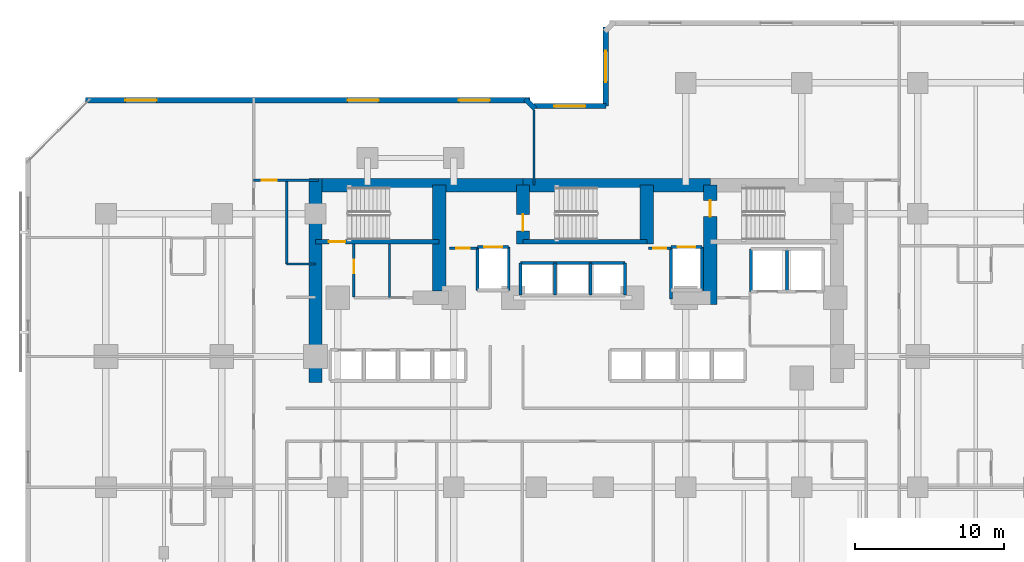
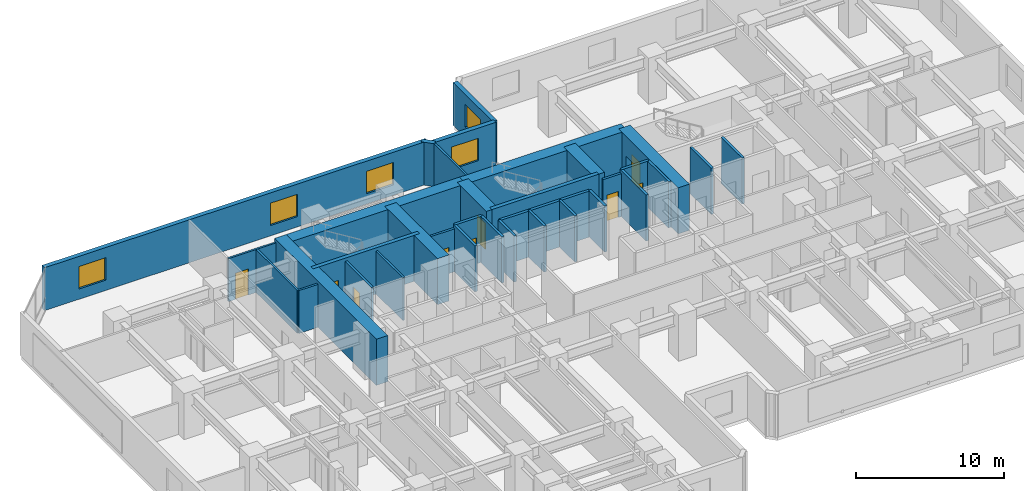
# One storey, part 8 of 12: 36 walls, 9 doors, 5 windows, 14 openings.
"""IFC4 building model written with IfcOpenShell, lengths in metres."""

import ifcopenshell
import ifcopenshell.guid

model = None  # the IFC model being written
_history = None  # IfcOwnerHistory: only IFC2X3 demands one
_inside = {}  # id of a spatial element -> (the spatial element, [elements in it])
_under = {}  # id of a project, library or spatial element -> (it, [spatial elements below it])
_declared = {}  # id of a project -> (the project, [libraries it declares])
_typed = {}  # id of a type object -> (the type object, [elements of that type])
_made_of = {}  # id of a material, layer set ... -> (it, [elements and type objects made of it])


def new_model(schema):
    """Start an empty IFC model of exactly this schema.

    Asked for "IFC4X3", IfcOpenShell would pick the latest addendum, in which some entities
    have other attributes; the version numbers below select the first issue.
    IFC2X3 requires an IfcOwnerHistory on every rooted entity: one is made here for all.
    """
    global model, _history
    if schema == "IFC4X3":
        model = ifcopenshell.file(schema_version=(4, 3, 0, 0))
    else:
        model = ifcopenshell.file(schema=schema)
    _inside.clear()
    _under.clear()
    _declared.clear()
    _typed.clear()
    _made_of.clear()
    _history = None
    if model.schema == "IFC2X3":
        org = make("IfcOrganization", Name="unknown")
        user = make(
            "IfcPersonAndOrganization",
            ThePerson=make("IfcPerson", FamilyName="unknown"),
            TheOrganization=org,
        )
        app = make(
            "IfcApplication",
            ApplicationDeveloper=org,
            Version="unknown",
            ApplicationFullName="unknown",
            ApplicationIdentifier="unknown",
        )
        _history = make(
            "IfcOwnerHistory",
            OwningUser=user,
            OwningApplication=app,
            ChangeAction="ADDED",
            CreationDate=0,
        )
    return model


def make(cls, **values):
    """One entity of the class cls with the attributes given. An attribute that is None is left unset."""
    return model.create_entity(
        cls, **{name: value for name, value in values.items() if value is not None}
    )


def rooted(cls, **values):
    """An entity with a GlobalId (a new one), such as an element, a storey or a relation."""
    return make(cls, GlobalId=ifcopenshell.guid.new(), OwnerHistory=_history, **values)


def si_unit(unit_type, name, prefix=None):
    """IfcSIUnit, for example si_unit("LENGTHUNIT", "METRE", prefix="MILLI")."""
    return make("IfcSIUnit", UnitType=unit_type, Prefix=prefix, Name=name)


def assignment(units):
    """IfcUnitAssignment: the units of a project."""
    return None if units is None else make("IfcUnitAssignment", Units=units)


def point(xyz):
    """IfcCartesianPoint."""
    return None if xyz is None else make("IfcCartesianPoint", Coordinates=xyz)


def direction(xyz):
    """IfcDirection."""
    return None if xyz is None else make("IfcDirection", DirectionRatios=xyz)


def frame(location, z_axis=None, x_axis=None):
    """IfcAxis2Placement3D, a coordinate frame: its origin and axes. An axis left out is left unset."""
    return make(
        "IfcAxis2Placement3D",
        Location=point(location),
        Axis=direction(z_axis),
        RefDirection=direction(x_axis),
    )


def frame_2d(location, x_axis=None):
    """IfcAxis2Placement2D, a coordinate frame in the plane: its origin and x axis."""
    return make(
        "IfcAxis2Placement2D", Location=point(location), RefDirection=direction(x_axis)
    )


def origin():
    """The frame at (0, 0, 0) with its axes left unset."""
    return frame((0.0, 0.0, 0.0))


def place(relative_to, where):
    """IfcLocalPlacement: puts the frame where relative to a parent placement (None: the world)."""
    return make(
        "IfcLocalPlacement", PlacementRelTo=relative_to, RelativePlacement=where
    )


def context(
    kind, dimensions, precision=None, world=None, true_north=None, identifier=None
):
    """IfcGeometricRepresentationContext, for example the 3D "Model" context."""
    return make(
        "IfcGeometricRepresentationContext",
        ContextIdentifier=identifier,
        ContextType=kind,
        CoordinateSpaceDimension=dimensions,
        Precision=precision,
        WorldCoordinateSystem=world,
        TrueNorth=true_north,
    )


def subcontext(parent, identifier, kind, view, scale=None):
    """IfcGeometricRepresentationSubContext, for example "Body" below "Model"."""
    return make(
        "IfcGeometricRepresentationSubContext",
        ContextIdentifier=identifier,
        ContextType=kind,
        ParentContext=parent,
        TargetScale=scale,
        TargetView=view,
    )


def project(units=None, contexts=None):
    """IfcProject with its units and contexts."""
    return rooted(
        "IfcProject",
        Name="project",
        RepresentationContexts=contexts,
        UnitsInContext=assignment(units),
    )


def spatial(cls, under=None, at=None, **own):
    """A site, building, storey or space (cls), placed at a placement, below another one or the project."""
    s = rooted(cls, ObjectPlacement=at, **own)
    if under is not None:
        _under.setdefault(under.id(), (under, []))[1].append(s)
    return s


def profile(cls, at=None, kind="AREA", **sizes):
    """A parametric profile (cls). Its sizes go by their IFC names, for example OverallWidth=200.0."""
    return make(cls, ProfileType=kind, Position=at, **sizes)


def rectangle(**sizes):
    """IfcRectangleProfileDef."""
    return profile("IfcRectangleProfileDef", **sizes)


def extrude(swept, where, along, depth):
    """IfcExtrudedAreaSolid: the profile swept, set in the frame where, extruded along a direction by depth."""
    return make(
        "IfcExtrudedAreaSolid",
        SweptArea=swept,
        Position=where,
        ExtrudedDirection=direction(along),
        Depth=depth,
    )


def shape(context_of_items, identifier, shape_type, items):
    """IfcShapeRepresentation: the items that make up one representation, for example the "Body"."""
    return make(
        "IfcShapeRepresentation",
        ContextOfItems=context_of_items,
        RepresentationIdentifier=identifier,
        RepresentationType=shape_type,
        Items=items,
    )


def material(Name=None, Category=None):
    """IfcMaterial."""
    return make("IfcMaterial", Name=Name, Category=Category)


def layer(
    of_material, thickness, ventilated=None, Name=None, Category=None, Priority=None
):
    """IfcMaterialLayer: one layer of a wall or slab, of a material (None: an air gap)."""
    return make(
        "IfcMaterialLayer",
        Material=of_material,
        LayerThickness=thickness,
        IsVentilated=ventilated,
        Name=Name,
        Category=Category,
        Priority=Priority,
    )


def layer_set(layers, Name=None):
    """IfcMaterialLayerSet."""
    return make("IfcMaterialLayerSet", MaterialLayers=layers, LayerSetName=Name)


def made_of(thing, what):
    """Note that an element or type object is made of a material, layer set ...; save() writes the relation."""
    if what is not None:
        _made_of.setdefault(what.id(), (what, []))[1].append(thing)
    return thing


def type_object(cls, material=None, **own):
    """A type object (cls), such as IfcWallType, which elements share."""
    return made_of(rooted(cls, **own), material)


def element(
    cls,
    number,
    at=None,
    inside=None,
    cuts=None,
    type_object=None,
    material=None,
    context=None,
    identifier="Body",
    shape_type=None,
    held_by="IfcProductDefinitionShape",
    body=None,
    shapes=None,
    **own,
):
    """One element of the class cls, such as IfcWall. Its Tag is "e" and its number.

    at: its placement. inside: the storey or other place that contains it. cuts: it is an
    opening in that element (IfcRelVoidsElement). A single representation is given by context,
    identifier, shape_type and body (its items); several are given by shapes. held_by: the class
    of the entity that holds the representations. save() writes the other relations.
    """
    e = rooted(cls, Tag="e%d" % number, ObjectPlacement=at, **own)
    if body is not None:
        shapes = [shape(context, identifier, shape_type, body)]
    if shapes is not None:
        e.Representation = make(held_by, Representations=shapes)
    if inside is not None:
        _inside.setdefault(inside.id(), (inside, []))[1].append(e)
    if cuts is not None:
        rooted(
            "IfcRelVoidsElement", RelatingBuildingElement=cuts, RelatedOpeningElement=e
        )
    if type_object is not None:
        _typed.setdefault(type_object.id(), (type_object, []))[1].append(e)
    return made_of(e, material)


def fill(opening, filler):
    """IfcRelFillsElement: the door or window that sits in an opening."""
    return rooted(
        "IfcRelFillsElement",
        RelatingOpeningElement=opening,
        RelatedBuildingElement=filler,
    )


def aggregate(whole, parts):
    """IfcRelAggregates: a whole, such as a stair, and the parts it consists of."""
    return rooted("IfcRelAggregates", RelatingObject=whole, RelatedObjects=parts)


def save(model, path):
    """Write the relations noted so far, then the file.

    IfcRelAggregates (storeys below a building ...), IfcRelContainedInSpatialStructure (elements
    in a storey), IfcRelDefinesByType, IfcRelAssociatesMaterial and IfcRelDeclares: one each for
    every whole, place, type object, material and project.
    """
    for whole, parts in _under.values():
        aggregate(whole, parts)
    for where, things in _inside.values():
        rooted(
            "IfcRelContainedInSpatialStructure",
            RelatedElements=things,
            RelatingStructure=where,
        )
    for kind, things in _typed.values():
        rooted("IfcRelDefinesByType", RelatedObjects=things, RelatingType=kind)
    for what, things in _made_of.values():
        rooted("IfcRelAssociatesMaterial", RelatedObjects=things, RelatingMaterial=what)
    for by, libraries in _declared.values():
        rooted("IfcRelDeclares", RelatingContext=by, RelatedDefinitions=libraries)
    model.write(path)


model = new_model("IFC4")

# Units and contexts
model_context = context("Model", 3, precision=1e-05, world=origin(), true_north=direction((0.0, 1.0)))
body_context = subcontext(model_context, "Body", "Model", "MODEL_VIEW")
ifc_project = project(units=[si_unit("LENGTHUNIT", "METRE"), si_unit("AREAUNIT", "SQUARE_METRE"), si_unit("VOLUMEUNIT", "CUBIC_METRE"), si_unit("PLANEANGLEUNIT", "RADIAN"), si_unit("MASSUNIT", "GRAM", prefix="KILO")], contexts=[model_context])

# Site, building, storey
site_placement = place(None, origin())
site = spatial("IfcSite", under=ifc_project, at=site_placement, CompositionType="ELEMENT")
building_placement = place(site_placement, origin())
building = spatial("IfcBuilding", under=site, at=building_placement, Name="Kestravale Grand Hotel", CompositionType="ELEMENT")
storey_placement = place(building_placement, frame((0.0, 0.0, 64.0)))
storey = spatial("IfcBuildingStorey", under=building, at=storey_placement, Name="L15", CompositionType="ELEMENT", Elevation=64.0)

# Walls
ifc_material_1 = material(Name="Concrete f'c 70 MPa", Category="concrete")
ifc_layer_1 = layer(ifc_material_1, 0.89990234375)
ifc_layer_set_1 = layer_set([ifc_layer_1], Name="EW-CORE-900")
wall_type_1 = type_object("IfcWallType", Name="EW-CORE-900", PredefinedType="SHEAR", material=ifc_layer_set_1)
wall_1_placement = place(storey_placement, frame((21.449951171875, 40.320068359375, 0.0), z_axis=(0.0, 0.0, 1.0), x_axis=(1.0, 0.0, 0.0)))
element("IfcWall", 1, at=wall_1_placement, inside=storey, type_object=wall_type_1, Name="L15 core shear wall N1", PredefinedType="SHEAR", context=body_context, shape_type="SweptSolid", body=[
    extrude(rectangle(XDim=14.400146484375, YDim=0.89990234375, at=frame_2d((7.2001953125, 0.0))), origin(), (0.0, 0.0, 1.0), 3.800048828125),
])
wall_2_placement = place(storey_placement, frame((35.85009765625, 40.320068359375, 0.0), z_axis=(0.0, 0.0, 1.0), x_axis=(1.0, 0.0, 0.0)))
element("IfcWall", 2, at=wall_2_placement, inside=storey, type_object=wall_type_1, Name="L15 core shear wall N2", PredefinedType="SHEAR", context=body_context, shape_type="SweptSolid", body=[
    extrude(rectangle(XDim=12.599853515625, YDim=0.89990234375, at=frame_2d((6.2998046875, 0.0))), origin(), (0.0, 0.0, 1.0), 3.800048828125),
])
wall_3_placement = place(storey_placement, frame((21.89990234375, 27.050048828125, 0.0), z_axis=(0.0, 0.0, 1.0), x_axis=(0.0, 1.0, 0.0)))
element("IfcWall", 3, at=wall_3_placement, inside=storey, type_object=wall_type_1, Name="L15 core shear wall W1", PredefinedType="SHEAR", context=body_context, shape_type="SweptSolid", body=[
    extrude(rectangle(XDim=13.719970703125, YDim=0.89990234375, at=frame_2d((6.85986328125, 0.0))), origin(), (0.0, 0.0, 1.0), 3.800048828125),
])
wall_4_placement = place(storey_placement, frame((30.219970703125, 33.199951171875, 0.0), z_axis=(0.0, 0.0, 1.0), x_axis=(0.0, 1.0, 0.0)))
element("IfcWall", 4, at=wall_4_placement, inside=storey, type_object=wall_type_1, Name="L15 core shear wall X1", PredefinedType="SHEAR", context=body_context, shape_type="SweptSolid", body=[
    extrude(rectangle(XDim=7.1201171875, YDim=0.89990234375, at=frame_2d((3.56005859375, 0.0))), origin(), (0.0, 0.0, 1.0), 3.800048828125),
])

# Wall, opening, door
wall_5_placement = place(storey_placement, frame((35.85009765625, 36.3701171875, 0.0), z_axis=(0.0, 0.0, 1.0), x_axis=(0.0, 1.0, 0.0)))
wall_5 = element("IfcWall", 5, at=wall_5_placement, inside=storey, type_object=wall_type_1, Name="L15 core shear wall X2", PredefinedType="SHEAR", context=body_context, shape_type="SweptSolid", body=[
    extrude(rectangle(XDim=3.949951171875, YDim=0.89990234375, at=frame_2d((1.97509765625, 0.0))), origin(), (0.0, 0.0, 1.0), 3.800048828125),
])
opening_1_placement = place(wall_5_placement, frame((0.8798828125, 0.0, 0.0)))
opening_1 = element("IfcOpeningElement", 6, at=opening_1_placement, cuts=wall_5, Name="Opening D-ST-1100", PredefinedType="OPENING", context=body_context, shape_type="SweptSolid", body=[
    extrude(rectangle(XDim=1.10009765625, YDim=2.14990234375, at=frame_2d((0.550048828125, 1.074951171875))), frame((0.0, 0.4599609375, 0.0), z_axis=(0.0, -1.0, 0.0), x_axis=(1.0, 0.0, 0.0)), (0.0, 0.0, 1.0), 0.919921875),
])
ifc_material_2 = material(Name="Galvanised 90-minute fire-rated steel stair door", Category="steel")
door_type_1 = type_object("IfcDoorType", Name="D-ST-1100", OperationType="NOTDEFINED", PredefinedType="DOOR", material=ifc_material_2)
door_1_placement = place(opening_1_placement, origin())
door_1 = element("IfcDoor", 7, at=door_1_placement, inside=storey, type_object=door_type_1, Name="L15 Stair ST-2 FSAE fire door", OperationType="SINGLE_SWING_RIGHT", OverallHeight=2.14990234375, OverallWidth=1.10009765625, PredefinedType="DOOR", context=body_context, shape_type="SweptSolid", body=[
    extrude(rectangle(XDim=1.10009765625, YDim=2.14990234375, at=frame_2d((0.550048828125, 1.074951171875))), frame((0.0, 0.02490234375, 0.0), z_axis=(0.0, -1.0, 0.0), x_axis=(1.0, 0.0, 0.0)), (0.0, 0.0, 1.0), 0.050048828125),
])
fill(opening_1, door_1)

# Wall
wall_6_placement = place(storey_placement, frame((44.179931640625, 36.3701171875, 0.0), z_axis=(0.0, 0.0, 1.0), x_axis=(0.0, 1.0, 0.0)))
element("IfcWall", 8, at=wall_6_placement, inside=storey, type_object=wall_type_1, Name="L15 core shear wall X3", PredefinedType="SHEAR", context=body_context, shape_type="SweptSolid", body=[
    extrude(rectangle(XDim=3.949951171875, YDim=0.89990234375, at=frame_2d((1.97509765625, 0.0))), origin(), (0.0, 0.0, 1.0), 3.800048828125),
])

# Wall, opening, door
wall_7_placement = place(storey_placement, frame((48.449951171875, 32.300048828125, 0.0), z_axis=(0.0, 0.0, 1.0), x_axis=(0.0, 1.0, 0.0)))
wall_7 = element("IfcWall", 9, at=wall_7_placement, inside=storey, type_object=wall_type_1, Name="L15 core shear wall X4", PredefinedType="SHEAR", context=body_context, shape_type="SweptSolid", body=[
    extrude(rectangle(XDim=8.02001953125, YDim=0.89990234375, at=frame_2d((4.010009765625, 0.0))), origin(), (0.0, 0.0, 1.0), 3.800048828125),
])
opening_2_placement = place(wall_7_placement, frame((5.89990234375, 0.0, 0.0)))
opening_2 = element("IfcOpeningElement", 10, at=opening_2_placement, cuts=wall_7, Name="Opening D-ST-1100", PredefinedType="OPENING", context=body_context, shape_type="SweptSolid", body=[
    extrude(rectangle(XDim=1.10009765625, YDim=2.14990234375, at=frame_2d((0.550048828125, 1.074951171875))), frame((0.0, 0.4599609375, 0.0), z_axis=(0.0, -1.0, 0.0), x_axis=(1.0, 0.0, 0.0)), (0.0, 0.0, 1.0), 0.919921875),
])
door_2_placement = place(opening_2_placement, origin())
door_2 = element("IfcDoor", 11, at=door_2_placement, inside=storey, type_object=door_type_1, Name="L15 Stair ST-3 FSAE fire door", OperationType="SINGLE_SWING_RIGHT", OverallHeight=2.14990234375, OverallWidth=1.10009765625, PredefinedType="DOOR", context=body_context, shape_type="SweptSolid", body=[
    extrude(rectangle(XDim=1.10009765625, YDim=2.14990234375, at=frame_2d((0.550048828125, 1.074951171875))), frame((0.0, 0.02490234375, 0.0), z_axis=(0.0, -1.0, 0.0), x_axis=(1.0, 0.0, 0.0)), (0.0, 0.0, 1.0), 0.050048828125),
])
fill(opening_2, door_2)

# Wall, opening, window
ifc_material_3 = material(Name="Precast concrete f'c 45 MPa", Category="concrete")
ifc_layer_2 = layer(ifc_material_3, 0.340087890625)
ifc_layer_set_2 = layer_set([ifc_layer_2], Name="EW-PREC-340")
wall_type_2 = type_object("IfcWallType", Name="EW-PREC-340", PredefinedType="SOLIDWALL", material=ifc_layer_set_2)
wall_8_placement = place(storey_placement, frame((41.419921875, 50.969970703125, 0.0), z_axis=(0.0, 0.0, 1.0), x_axis=(0.0, -1.0, 0.0)))
wall_8 = element("IfcWall", 12, at=wall_8_placement, inside=storey, type_object=wall_type_2, Name="L15 fluted precast facade wall 13", PredefinedType="SOLIDWALL", context=body_context, shape_type="SweptSolid", body=[
    extrude(rectangle(XDim=5.340087890625, YDim=0.340087890625, at=frame_2d((2.669921875, 0.0))), origin(), (0.0, 0.0, 1.0), 3.5400390625),
])
opening_3_placement = place(wall_8_placement, frame((1.6201171875, 0.0, 0.85009765625)))
opening_3 = element("IfcOpeningElement", 13, at=opening_3_placement, cuts=wall_8, Name="Opening W-GUEST-2100", PredefinedType="OPENING", context=body_context, shape_type="SweptSolid", body=[
    extrude(rectangle(XDim=2.10009765625, YDim=1.85009765625, at=frame_2d((1.050048828125, 0.925048828125))), frame((0.0, 0.179931640625, 0.0), z_axis=(0.0, -1.0, 0.0), x_axis=(1.0, 0.0, 0.0)), (0.0, 0.0, 1.0), 0.360107421875),
])
ifc_material_4 = material(Name="Insulated low-E double glazing in aluminium frame", Category="aluminium")
window_type = type_object("IfcWindowType", Name="W-GUEST-2100", PartitioningType="DOUBLE_PANEL_VERTICAL", PredefinedType="WINDOW", material=ifc_material_4)
window_1_placement = place(opening_3_placement, origin())
window_1 = element("IfcWindow", 14, at=window_1_placement, inside=storey, type_object=window_type, Name="L15 exterior window 13.1", OverallHeight=1.85009765625, OverallWidth=2.10009765625, PartitioningType="SINGLE_PANEL", PredefinedType="WINDOW", context=body_context, shape_type="SweptSolid", body=[
    extrude(rectangle(XDim=2.10009765625, YDim=1.85009765625, at=frame_2d((1.050048828125, 0.925048828125))), frame((0.0, 0.030029296875, 0.0), z_axis=(0.0, -1.0, 0.0), x_axis=(1.0, 0.0, 0.0)), (0.0, 0.0, 1.0), 0.06005859375),
])
fill(opening_3, window_1)

wall_9_placement = place(storey_placement, frame((41.419921875, 45.6298828125, 0.0), z_axis=(0.0, 0.0, 1.0), x_axis=(-1.0, 0.0, 0.0)))
wall_9 = element("IfcWall", 15, at=wall_9_placement, inside=storey, type_object=wall_type_2, Name="L15 fluted precast facade wall 14", PredefinedType="SOLIDWALL", context=body_context, shape_type="SweptSolid", body=[
    extrude(rectangle(XDim=4.83984375, YDim=0.340087890625, at=frame_2d((2.419921875, 0.0))), origin(), (0.0, 0.0, 1.0), 3.5400390625),
])
opening_4_placement = place(wall_9_placement, frame((1.3701171875, 0.0, 0.85009765625)))
opening_4 = element("IfcOpeningElement", 16, at=opening_4_placement, cuts=wall_9, Name="Opening W-GUEST-2100", PredefinedType="OPENING", context=body_context, shape_type="SweptSolid", body=[
    extrude(rectangle(XDim=2.10009765625, YDim=1.85009765625, at=frame_2d((1.050048828125, 0.925048828125))), frame((0.0, 0.179931640625, 0.0), z_axis=(0.0, -1.0, 0.0), x_axis=(1.0, 0.0, 0.0)), (0.0, 0.0, 1.0), 0.360107421875),
])
window_2_placement = place(opening_4_placement, origin())
window_2 = element("IfcWindow", 17, at=window_2_placement, inside=storey, type_object=window_type, Name="L15 exterior window 14.1", OverallHeight=1.85009765625, OverallWidth=2.10009765625, PartitioningType="SINGLE_PANEL", PredefinedType="WINDOW", context=body_context, shape_type="SweptSolid", body=[
    extrude(rectangle(XDim=2.10009765625, YDim=1.85009765625, at=frame_2d((1.050048828125, 0.925048828125))), frame((0.0, 0.030029296875, 0.0), z_axis=(0.0, -1.0, 0.0), x_axis=(1.0, 0.0, 0.0)), (0.0, 0.0, 1.0), 0.06005859375),
])
fill(opening_4, window_2)

# Wall
wall_10_placement = place(storey_placement, frame((36.658203125, 45.451416015625, 0.0), z_axis=(0.0, 0.0, 1.0), x_axis=(-0.707106781187, 0.707106781187, 0.0)))
element("IfcWall", 18, at=wall_10_placement, inside=storey, type_object=wall_type_2, Name="L15 fluted precast facade wall 16", PredefinedType="SOLIDWALL", context=body_context, shape_type="SweptSolid", body=[
    extrude(rectangle(XDim=0.9287109375, YDim=0.340087890625, at=frame_2d((0.46435546875, 0.0))), origin(), (0.0, 0.0, 1.0), 3.5400390625),
])

# Wall, openings, windows
wall_11_placement = place(storey_placement, frame((36.320068359375, 46.030029296875, 0.0), z_axis=(0.0, 0.0, 1.0), x_axis=(-1.0, 0.0, 0.0)))
wall_11 = element("IfcWall", 19, at=wall_11_placement, inside=storey, type_object=wall_type_2, Name="L15 fluted precast facade wall 17", PredefinedType="SOLIDWALL", context=body_context, shape_type="SweptSolid", body=[
    extrude(rectangle(XDim=29.89013671875, YDim=0.340087890625, at=frame_2d((14.945068359375, 0.0))), origin(), (0.0, 0.0, 1.0), 3.5400390625),
])
opening_5_placement = place(wall_11_placement, frame((2.686279296875, 0.0, 0.85009765625)))
opening_5 = element("IfcOpeningElement", 20, at=opening_5_placement, cuts=wall_11, Name="Opening W-GUEST-2100", PredefinedType="OPENING", context=body_context, shape_type="SweptSolid", body=[
    extrude(rectangle(XDim=2.10009765625, YDim=1.85009765625, at=frame_2d((1.050048828125, 0.925048828125))), frame((0.0, 0.179931640625, 0.0), z_axis=(0.0, -1.0, 0.0), x_axis=(1.0, 0.0, 0.0)), (0.0, 0.0, 1.0), 0.360107421875),
])
opening_6_placement = place(wall_11_placement, frame((10.15869140625, 0.0, 0.85009765625)))
opening_6 = element("IfcOpeningElement", 21, at=opening_6_placement, cuts=wall_11, Name="Opening W-GUEST-2100", PredefinedType="OPENING", context=body_context, shape_type="SweptSolid", body=[
    extrude(rectangle(XDim=2.10009765625, YDim=1.85009765625, at=frame_2d((1.050048828125, 0.925048828125))), frame((0.0, 0.179931640625, 0.0), z_axis=(0.0, -1.0, 0.0), x_axis=(1.0, 0.0, 0.0)), (0.0, 0.0, 1.0), 0.360107421875),
])
opening_7_placement = place(wall_11_placement, frame((25.103759765625, 0.0, 0.85009765625)))
opening_7 = element("IfcOpeningElement", 22, at=opening_7_placement, cuts=wall_11, Name="Opening W-GUEST-2100", PredefinedType="OPENING", context=body_context, shape_type="SweptSolid", body=[
    extrude(rectangle(XDim=2.10009765625, YDim=1.85009765625, at=frame_2d((1.050048828125, 0.925048828125))), frame((0.0, 0.179931640625, 0.0), z_axis=(0.0, -1.0, 0.0), x_axis=(1.0, 0.0, 0.0)), (0.0, 0.0, 1.0), 0.360107421875),
])
window_3_placement = place(opening_5_placement, origin())
window_3 = element("IfcWindow", 23, at=window_3_placement, inside=storey, type_object=window_type, Name="L15 exterior window 17.1", OverallHeight=1.85009765625, OverallWidth=2.10009765625, PartitioningType="SINGLE_PANEL", PredefinedType="WINDOW", context=body_context, shape_type="SweptSolid", body=[
    extrude(rectangle(XDim=2.10009765625, YDim=1.85009765625, at=frame_2d((1.050048828125, 0.925048828125))), frame((0.0, 0.030029296875, 0.0), z_axis=(0.0, -1.0, 0.0), x_axis=(1.0, 0.0, 0.0)), (0.0, 0.0, 1.0), 0.06005859375),
])
fill(opening_5, window_3)
window_4_placement = place(opening_6_placement, origin())
window_4 = element("IfcWindow", 24, at=window_4_placement, inside=storey, type_object=window_type, Name="L15 exterior window 17.2", OverallHeight=1.85009765625, OverallWidth=2.10009765625, PartitioningType="SINGLE_PANEL", PredefinedType="WINDOW", context=body_context, shape_type="SweptSolid", body=[
    extrude(rectangle(XDim=2.10009765625, YDim=1.85009765625, at=frame_2d((1.050048828125, 0.925048828125))), frame((0.0, 0.030029296875, 0.0), z_axis=(0.0, -1.0, 0.0), x_axis=(1.0, 0.0, 0.0)), (0.0, 0.0, 1.0), 0.06005859375),
])
fill(opening_6, window_4)
window_5_placement = place(opening_7_placement, origin())
window_5 = element("IfcWindow", 25, at=window_5_placement, inside=storey, type_object=window_type, Name="L15 exterior window 17.3", OverallHeight=1.85009765625, OverallWidth=2.10009765625, PartitioningType="SINGLE_PANEL", PredefinedType="WINDOW", context=body_context, shape_type="SweptSolid", body=[
    extrude(rectangle(XDim=2.10009765625, YDim=1.85009765625, at=frame_2d((1.050048828125, 0.925048828125))), frame((0.0, 0.030029296875, 0.0), z_axis=(0.0, -1.0, 0.0), x_axis=(1.0, 0.0, 0.0)), (0.0, 0.0, 1.0), 0.06005859375),
])
fill(opening_7, window_5)

# Wall, opening, door
ifc_material_5 = material(Name="Concrete f'c 45 MPa", Category="concrete")
ifc_layer_3 = layer(ifc_material_5, 0.300048828125)
ifc_layer_set_3 = layer_set([ifc_layer_3], Name="EW-STAIR-300")
wall_type_3 = type_object("IfcWallType", Name="EW-STAIR-300", PredefinedType="SHEAR", material=ifc_layer_set_3)
wall_12_placement = place(storey_placement, frame((21.89990234375, 36.52001953125, 0.0), z_axis=(0.0, 0.0, 1.0), x_axis=(1.0, 0.0, 0.0)))
wall_12 = element("IfcWall", 26, at=wall_12_placement, inside=storey, type_object=wall_type_3, Name="L15 stair enclosure shear wall SST1", PredefinedType="SHEAR", context=body_context, shape_type="SweptSolid", body=[
    extrude(rectangle(XDim=8.320068359375, YDim=0.300048828125, at=frame_2d((4.16015625, 0.0))), origin(), (0.0, 0.0, 1.0), 3.800048828125),
])
opening_8_placement = place(wall_12_placement, frame((0.89990234375, 0.0, 0.0)))
opening_8 = element("IfcOpeningElement", 27, at=opening_8_placement, cuts=wall_12, Name="Opening D-ST-1100", PredefinedType="OPENING", context=body_context, shape_type="SweptSolid", body=[
    extrude(rectangle(XDim=1.10009765625, YDim=2.14990234375, at=frame_2d((0.550048828125, 1.074951171875))), frame((0.0, 0.159912109375, 0.0), z_axis=(0.0, -1.0, 0.0), x_axis=(1.0, 0.0, 0.0)), (0.0, 0.0, 1.0), 0.320068359375),
])
door_3_placement = place(opening_8_placement, origin())
door_3 = element("IfcDoor", 28, at=door_3_placement, inside=storey, type_object=door_type_1, Name="L15 Stair ST-1 fire door", OperationType="SINGLE_SWING_RIGHT", OverallHeight=2.14990234375, OverallWidth=1.10009765625, PredefinedType="DOOR", context=body_context, shape_type="SweptSolid", body=[
    extrude(rectangle(XDim=1.10009765625, YDim=2.14990234375, at=frame_2d((0.550048828125, 1.074951171875))), frame((0.0, 0.02490234375, 0.0), z_axis=(0.0, -1.0, 0.0), x_axis=(1.0, 0.0, 0.0)), (0.0, 0.0, 1.0), 0.050048828125),
])
fill(opening_8, door_3)

# Wall
wall_13_placement = place(storey_placement, frame((35.85009765625, 36.52001953125, 0.0), z_axis=(0.0, 0.0, 1.0), x_axis=(1.0, 0.0, 0.0)))
element("IfcWall", 29, at=wall_13_placement, inside=storey, type_object=wall_type_3, Name="L15 stair enclosure shear wall SST2", PredefinedType="SHEAR", context=body_context, shape_type="SweptSolid", body=[
    extrude(rectangle(XDim=8.329833984375, YDim=0.300048828125, at=frame_2d((4.1650390625, 0.0))), origin(), (0.0, 0.0, 1.0), 3.800048828125),
])

# Wall, opening, door
ifc_material_6 = material(Name="Acoustic fire-rated gypsum board partition", Category="other")
ifc_layer_4 = layer(ifc_material_6, 0.159912109375)
ifc_layer_set_4 = layer_set([ifc_layer_4], Name="IW-CORR-160")
wall_type_4 = type_object("IfcWallType", Name="IW-CORR-160", PredefinedType="PARTITIONING", material=ifc_layer_set_4)
wall_14_placement = place(storey_placement, frame((24.47998046875, 32.800048828125, 0.0), z_axis=(0.0, 0.0, 1.0), x_axis=(0.0, 1.0, 0.0)))
wall_14 = element("IfcWall", 30, at=wall_14_placement, inside=storey, type_object=wall_type_4, Name="L15 west core vestibule wall", PredefinedType="PARTITIONING", context=body_context, shape_type="SweptSolid", body=[
    extrude(rectangle(XDim=3.570068359375, YDim=0.159912109375, at=frame_2d((1.78515625, 0.0))), origin(), (0.0, 0.0, 1.0), 3.5400390625),
])
opening_9_placement = place(wall_14_placement, frame((1.603515625, 0.0, 0.0)))
opening_9 = element("IfcOpeningElement", 31, at=opening_9_placement, cuts=wall_14, Name="Opening D-SH-900", PredefinedType="OPENING", context=body_context, shape_type="SweptSolid", body=[
    extrude(rectangle(XDim=0.89990234375, YDim=2.10009765625, at=frame_2d((0.449951171875, 1.050048828125))), frame((0.0, 0.08984375, 0.0), z_axis=(0.0, -1.0, 0.0), x_axis=(1.0, 0.0, 0.0)), (0.0, 0.0, 1.0), 0.179931640625),
])
ifc_material_7 = material(Name="Galvanised 90-minute shaft and service fire door", Category="steel")
door_type_2 = type_object("IfcDoorType", Name="D-SH-900", OperationType="NOTDEFINED", PredefinedType="DOOR", material=ifc_material_7)
door_4_placement = place(opening_9_placement, origin())
door_4 = element("IfcDoor", 32, at=door_4_placement, inside=storey, type_object=door_type_2, Name="D-L15-HK", OperationType="SINGLE_SWING_RIGHT", OverallHeight=2.10009765625, OverallWidth=0.89990234375, PredefinedType="DOOR", context=body_context, shape_type="SweptSolid", body=[
    extrude(rectangle(XDim=0.89990234375, YDim=2.10009765625, at=frame_2d((0.449951171875, 1.050048828125))), frame((0.0, 0.02490234375, 0.0), z_axis=(0.0, -1.0, 0.0), x_axis=(1.0, 0.0, 0.0)), (0.0, 0.0, 1.0), 0.050048828125),
])
fill(opening_9, door_4)

# Walls
wall_15_placement = place(storey_placement, frame((19.9599609375, 35.02001953125, 0.0), z_axis=(0.0, 0.0, 1.0), x_axis=(0.0, 1.0, 0.0)))
element("IfcWall", 33, at=wall_15_placement, inside=storey, type_object=wall_type_4, Name="W-L15-SW-EN", PredefinedType="PARTITIONING", context=body_context, shape_type="SweptSolid", body=[
    extrude(rectangle(XDim=5.6298828125, YDim=0.159912109375, at=frame_2d((2.81494140625, 0.0))), origin(), (0.0, 0.0, 1.0), 3.5400390625),
])
wall_16_placement = place(storey_placement, frame((19.9599609375, 35.02001953125, 0.0), z_axis=(0.0, 0.0, 1.0), x_axis=(1.0, 0.0, 0.0)))
element("IfcWall", 34, at=wall_16_placement, inside=storey, type_object=wall_type_4, Name="W-L15-SW-CN", PredefinedType="PARTITIONING", context=body_context, shape_type="SweptSolid", body=[
    extrude(rectangle(XDim=1.93994140625, YDim=0.159912109375, at=frame_2d((0.969970703125, 0.0))), origin(), (0.0, 0.0, 1.0), 3.5400390625),
])

# Wall, opening, door
ifc_material_8 = material(Name="Fire-rated gypsum board on steel studs with mineral wool", Category="steel")
ifc_layer_5 = layer(ifc_material_8, 0.179931640625)
ifc_layer_set_5 = layer_set([ifc_layer_5], Name="IW-FSAE-180")
wall_type_5 = type_object("IfcWallType", Name="IW-FSAE-180", PredefinedType="PARTITIONING", material=ifc_layer_set_5)
wall_17_placement = place(storey_placement, frame((30.89990234375, 36.080078125, 0.0), z_axis=(0.0, 0.0, 1.0), x_axis=(1.0, 0.0, 0.0)))
wall_17 = element("IfcWall", 35, at=wall_17_placement, inside=storey, type_object=wall_type_5, Name="L15 FSAE Lobby 1 smoke barrier", PredefinedType="PARTITIONING", context=body_context, shape_type="SweptSolid", body=[
    extrude(rectangle(XDim=1.85009765625, YDim=0.179931640625, at=frame_2d((0.925048828125, 0.0))), origin(), (0.0, 0.0, 1.0), 3.5400390625),
])
opening_10_placement = place(wall_17_placement, frame((0.47998046875, 0.0, 0.0)))
opening_10 = element("IfcOpeningElement", 36, at=opening_10_placement, cuts=wall_17, Name="Opening D-FSAE-1000", PredefinedType="OPENING", context=body_context, shape_type="SweptSolid", body=[
    extrude(rectangle(XDim=0.89990234375, YDim=2.14990234375, at=frame_2d((0.449951171875, 1.074951171875))), frame((0.0, 0.099853515625, 0.0), z_axis=(0.0, -1.0, 0.0), x_axis=(1.0, 0.0, 0.0)), (0.0, 0.0, 1.0), 0.199951171875),
])
ifc_material_9 = material(Name="Smoke-gasketed FSAE lobby fire door", Category="steel")
door_type_3 = type_object("IfcDoorType", Name="D-FSAE-1000", OperationType="NOTDEFINED", PredefinedType="DOOR", material=ifc_material_9)
door_5_placement = place(opening_10_placement, origin())
door_5 = element("IfcDoor", 37, at=door_5_placement, inside=storey, type_object=door_type_3, Name="L15 FSAE Lobby 1 fire door", OperationType="SINGLE_SWING_RIGHT", OverallHeight=2.14990234375, OverallWidth=0.89990234375, PredefinedType="DOOR", context=body_context, shape_type="SweptSolid", body=[
    extrude(rectangle(XDim=0.89990234375, YDim=2.14990234375, at=frame_2d((0.449951171875, 1.074951171875))), frame((0.0, 0.02490234375, 0.0), z_axis=(0.0, -1.0, 0.0), x_axis=(1.0, 0.0, 0.0)), (0.0, 0.0, 1.0), 0.050048828125),
])
fill(opening_10, door_5)

wall_18_placement = place(storey_placement, frame((44.300048828125, 36.080078125, 0.0), z_axis=(0.0, 0.0, 1.0), x_axis=(1.0, 0.0, 0.0)))
wall_18 = element("IfcWall", 38, at=wall_18_placement, inside=storey, type_object=wall_type_5, Name="L15 FSAE Lobby 2 smoke barrier", PredefinedType="PARTITIONING", context=body_context, shape_type="SweptSolid", body=[
    extrude(rectangle(XDim=1.5, YDim=0.179931640625, at=frame_2d((0.75, 0.0))), origin(), (0.0, 0.0, 1.0), 3.5400390625),
])
opening_11_placement = place(wall_18_placement, frame((0.300048828125, 0.0, 0.0)))
opening_11 = element("IfcOpeningElement", 39, at=opening_11_placement, cuts=wall_18, Name="Opening D-FSAE-1000", PredefinedType="OPENING", context=body_context, shape_type="SweptSolid", body=[
    extrude(rectangle(XDim=0.89990234375, YDim=2.14990234375, at=frame_2d((0.449951171875, 1.074951171875))), frame((0.0, 0.099853515625, 0.0), z_axis=(0.0, -1.0, 0.0), x_axis=(1.0, 0.0, 0.0)), (0.0, 0.0, 1.0), 0.199951171875),
])
door_6_placement = place(opening_11_placement, origin())
door_6 = element("IfcDoor", 40, at=door_6_placement, inside=storey, type_object=door_type_3, Name="L15 FSAE Lobby 2 fire door", OperationType="SINGLE_SWING_LEFT", OverallHeight=2.14990234375, OverallWidth=0.89990234375, PredefinedType="DOOR", context=body_context, shape_type="SweptSolid", body=[
    extrude(rectangle(XDim=0.89990234375, YDim=2.14990234375, at=frame_2d((0.449951171875, 1.074951171875))), frame((0.0, 0.02490234375, 0.0), z_axis=(0.0, -1.0, 0.0), x_axis=(1.0, 0.0, 0.0)), (0.0, 0.0, 1.0), 0.050048828125),
])
fill(opening_11, door_6)

# Walls
ifc_material_10 = material(Name="Concrete f'c 45 MPa", Category="concrete")
ifc_layer_6 = layer(ifc_material_10, 0.199951171875)
ifc_layer_set_6 = layer_set([ifc_layer_6], Name="IW-SHAFT-200")
wall_type_6 = type_object("IfcWallType", Name="IW-SHAFT-200", PredefinedType="SHEAR", material=ifc_layer_set_6)
for number, where, z_axis, x_axis, name in (
    (41, (35.679931640625, 32.919921875, 0.0), (0.0, 0.0, 1.0), (0.0, 1.0, 0.0), "L15 PL-X1 west shaft wall"),
    (42, (38.0, 32.919921875, 0.0), (0.0, 0.0, 1.0), (0.0, 1.0, 0.0), "L15 PL-X2 west shaft wall"),
    (43, (40.39990234375, 32.919921875, 0.0), (0.0, 0.0, 1.0), (0.0, 1.0, 0.0), "L15 PL-X3 west shaft wall"),
    (44, (42.719970703125, 32.919921875, 0.0), (0.0, 0.0, 1.0), (0.0, 1.0, 0.0), "L15 PL-X3 east shaft wall"),
):
    element("IfcWall", number, at=place(storey_placement, frame(where, z_axis=z_axis, x_axis=x_axis)), inside=storey, type_object=wall_type_6, Name=name, PredefinedType="SHEAR", context=body_context, shape_type="SweptSolid", body=[
        extrude(rectangle(XDim=2.16015625, YDim=0.199951171875, at=frame_2d((1.080078125, 0.0))), origin(), (0.0, 0.0, 1.0), 3.800048828125),
    ])
for number, where, z_axis, x_axis, name in (
    (45, (51.179931640625, 33.169921875, 0.0), (0.0, 0.0, 1.0), (0.0, 1.0, 0.0), "L15 SL-1 west shaft wall"),
    (46, (53.60009765625, 33.169921875, 0.0), (0.0, 0.0, 1.0), (0.0, 1.0, 0.0), "L15 SL-2 west shaft wall"),
):
    element("IfcWall", number, at=place(storey_placement, frame(where, z_axis=z_axis, x_axis=x_axis)), inside=storey, type_object=wall_type_6, Name=name, PredefinedType="SHEAR", context=body_context, shape_type="SweptSolid", body=[
        extrude(rectangle(XDim=2.860107421875, YDim=0.199951171875, at=frame_2d((1.43017578125, 0.0))), origin(), (0.0, 0.0, 1.0), 3.800048828125),
    ])
for number, where, z_axis, x_axis, name in (
    (47, (32.804931640625, 33.2451171875, 0.0), (0.0, 0.0, 1.0), (0.0, 1.0, 0.0), "L15 FL-1 west shaft wall"),
    (48, (34.89501953125, 33.2451171875, 0.0), (0.0, 0.0, 1.0), (0.0, 1.0, 0.0), "L15 FL-1 east shaft wall"),
):
    element("IfcWall", number, at=place(storey_placement, frame(where, z_axis=z_axis, x_axis=x_axis)), inside=storey, type_object=wall_type_6, Name=name, PredefinedType="SHEAR", context=body_context, shape_type="SweptSolid", body=[
        extrude(rectangle(XDim=2.909912109375, YDim=0.199951171875, at=frame_2d((1.455078125, 0.0))), origin(), (0.0, 0.0, 1.0), 3.800048828125),
    ])
wall_19_placement = place(storey_placement, frame((45.804931640625, 32.64990234375, 0.0), z_axis=(0.0, 0.0, 1.0), x_axis=(0.0, 1.0, 0.0)))
element("IfcWall", 49, at=wall_19_placement, inside=storey, type_object=wall_type_6, Name="L15 FL-2 west shaft wall", PredefinedType="SHEAR", context=body_context, shape_type="SweptSolid", body=[
    extrude(rectangle(XDim=3.505126953125, YDim=0.199951171875, at=frame_2d((1.75244140625, 0.0))), origin(), (0.0, 0.0, 1.0), 3.800048828125),
])
wall_20_placement = place(storey_placement, frame((47.89501953125, 33.2451171875, 0.0), z_axis=(0.0, 0.0, 1.0), x_axis=(0.0, 1.0, 0.0)))
element("IfcWall", 50, at=wall_20_placement, inside=storey, type_object=wall_type_6, Name="L15 FL-2 east shaft wall", PredefinedType="SHEAR", context=body_context, shape_type="SweptSolid", body=[
    extrude(rectangle(XDim=2.909912109375, YDim=0.199951171875, at=frame_2d((1.455078125, 0.0))), origin(), (0.0, 0.0, 1.0), 3.800048828125),
])
ifc_material_11 = material(Name="Concrete f'c 45 MPa", Category="concrete")
ifc_layer_7 = layer(ifc_material_11, 0.219970703125)
ifc_layer_set_7 = layer_set([ifc_layer_7], Name="IW-SHAFT-220")
wall_type_7 = type_object("IfcWallType", Name="IW-SHAFT-220", PredefinedType="SHEAR", material=ifc_layer_set_7)
wall_21_placement = place(storey_placement, frame((35.679931640625, 35.080078125, 0.0), z_axis=(0.0, 0.0, 1.0), x_axis=(1.0, 0.0, 0.0)))
element("IfcWall", 51, at=wall_21_placement, inside=storey, type_object=wall_type_7, Name="L15 PL-X1 north shaft wall", PredefinedType="SHEAR", context=body_context, shape_type="SweptSolid", body=[
    extrude(rectangle(XDim=2.320068359375, YDim=0.219970703125, at=frame_2d((1.16015625, 0.0))), origin(), (0.0, 0.0, 1.0), 3.800048828125),
])
wall_22_placement = place(storey_placement, frame((38.0, 35.080078125, 0.0), z_axis=(0.0, 0.0, 1.0), x_axis=(1.0, 0.0, 0.0)))
element("IfcWall", 52, at=wall_22_placement, inside=storey, type_object=wall_type_7, Name="L15 PL-X2 north shaft wall", PredefinedType="SHEAR", context=body_context, shape_type="SweptSolid", body=[
    extrude(rectangle(XDim=2.39990234375, YDim=0.219970703125, at=frame_2d((1.199951171875, 0.0))), origin(), (0.0, 0.0, 1.0), 3.800048828125),
])
wall_23_placement = place(storey_placement, frame((40.39990234375, 35.080078125, 0.0), z_axis=(0.0, 0.0, 1.0), x_axis=(1.0, 0.0, 0.0)))
element("IfcWall", 53, at=wall_23_placement, inside=storey, type_object=wall_type_7, Name="L15 PL-X3 north shaft wall", PredefinedType="SHEAR", context=body_context, shape_type="SweptSolid", body=[
    extrude(rectangle(XDim=2.320068359375, YDim=0.219970703125, at=frame_2d((1.16015625, 0.0))), origin(), (0.0, 0.0, 1.0), 3.800048828125),
])

# Wall, opening, door
wall_24_placement = place(storey_placement, frame((32.804931640625, 36.155029296875, 0.0), z_axis=(0.0, 0.0, 1.0), x_axis=(1.0, 0.0, 0.0)))
wall_24 = element("IfcWall", 54, at=wall_24_placement, inside=storey, type_object=wall_type_7, Name="L15 FL-1 north shaft wall", PredefinedType="SHEAR", context=body_context, shape_type="SweptSolid", body=[
    extrude(rectangle(XDim=2.090087890625, YDim=0.219970703125, at=frame_2d((1.044921875, 0.0))), origin(), (0.0, 0.0, 1.0), 3.800048828125),
])
opening_12_placement = place(wall_24_placement, frame((0.445068359375, 0.0, 0.0)))
opening_12 = element("IfcOpeningElement", 55, at=opening_12_placement, cuts=wall_24, Name="Opening LD-FSAE-1200", PredefinedType="OPENING", context=body_context, shape_type="SweptSolid", body=[
    extrude(rectangle(XDim=1.199951171875, YDim=2.14990234375, at=frame_2d((0.60009765625, 1.074951171875))), frame((0.0, 0.119873046875, 0.0), z_axis=(0.0, -1.0, 0.0), x_axis=(1.0, 0.0, 0.0)), (0.0, 0.0, 1.0), 0.239990234375),
])
ifc_material_12 = material(Name="Stainless fire-service sliding elevator landing door", Category="steel")
door_type_4 = type_object("IfcDoorType", Name="LD-FSAE-1200", OperationType="NOTDEFINED", PredefinedType="DOOR", material=ifc_material_12)
door_7_placement = place(opening_12_placement, origin())
door_7 = element("IfcDoor", 56, at=door_7_placement, inside=storey, type_object=door_type_4, Name="L15 FL-1 elevator landing sliding door", OperationType="DOUBLE_DOOR_SLIDING", OverallHeight=2.14990234375, OverallWidth=1.199951171875, PredefinedType="DOOR", context=body_context, shape_type="SweptSolid", body=[
    extrude(rectangle(XDim=1.199951171875, YDim=2.14990234375, at=frame_2d((0.60009765625, 1.074951171875))), frame((0.0, 0.02490234375, 0.0), z_axis=(0.0, -1.0, 0.0), x_axis=(1.0, 0.0, 0.0)), (0.0, 0.0, 1.0), 0.050048828125),
])
fill(opening_12, door_7)

wall_25_placement = place(storey_placement, frame((45.804931640625, 36.155029296875, 0.0), z_axis=(0.0, 0.0, 1.0), x_axis=(1.0, 0.0, 0.0)))
wall_25 = element("IfcWall", 57, at=wall_25_placement, inside=storey, type_object=wall_type_7, Name="L15 FL-2 north shaft wall", PredefinedType="SHEAR", context=body_context, shape_type="SweptSolid", body=[
    extrude(rectangle(XDim=2.090087890625, YDim=0.219970703125, at=frame_2d((1.044921875, 0.0))), origin(), (0.0, 0.0, 1.0), 3.800048828125),
])
opening_13_placement = place(wall_25_placement, frame((0.445068359375, 0.0, 0.0)))
opening_13 = element("IfcOpeningElement", 58, at=opening_13_placement, cuts=wall_25, Name="Opening LD-FSAE-1200", PredefinedType="OPENING", context=body_context, shape_type="SweptSolid", body=[
    extrude(rectangle(XDim=1.199951171875, YDim=2.14990234375, at=frame_2d((0.60009765625, 1.074951171875))), frame((0.0, 0.119873046875, 0.0), z_axis=(0.0, -1.0, 0.0), x_axis=(1.0, 0.0, 0.0)), (0.0, 0.0, 1.0), 0.239990234375),
])
door_8_placement = place(opening_13_placement, origin())
door_8 = element("IfcDoor", 59, at=door_8_placement, inside=storey, type_object=door_type_4, Name="L15 FL-2 elevator landing sliding door", OperationType="DOUBLE_DOOR_SLIDING", OverallHeight=2.14990234375, OverallWidth=1.199951171875, PredefinedType="DOOR", context=body_context, shape_type="SweptSolid", body=[
    extrude(rectangle(XDim=1.199951171875, YDim=2.14990234375, at=frame_2d((0.60009765625, 1.074951171875))), frame((0.0, 0.02490234375, 0.0), z_axis=(0.0, -1.0, 0.0), x_axis=(1.0, 0.0, 0.0)), (0.0, 0.0, 1.0), 0.050048828125),
])
fill(opening_13, door_8)

# Wall
ifc_material_13 = material(Name="Double-stud STC 52 acoustic demising partition", Category="other")
ifc_layer_8 = layer(ifc_material_13, 0.14990234375)
ifc_layer_set_8 = layer_set([ifc_layer_8], Name="IW-UNIT-150")
wall_type_8 = type_object("IfcWallType", Name="IW-UNIT-150", PredefinedType="PARTITIONING", material=ifc_layer_set_8)
wall_26_placement = place(storey_placement, frame((26.8798828125, 32.75, 0.0), z_axis=(0.0, 0.0, 1.0), x_axis=(0.0, 1.0, 0.0)))
element("IfcWall", 60, at=wall_26_placement, inside=storey, type_object=wall_type_8, Name="W-L15-CC3-V", PredefinedType="PARTITIONING", context=body_context, shape_type="SweptSolid", body=[
    extrude(rectangle(XDim=3.6201171875, YDim=0.14990234375, at=frame_2d((1.81005859375, 0.0))), origin(), (0.0, 0.0, 1.0), 3.5400390625),
])

# Wall, opening, door
wall_27_placement = place(storey_placement, frame((17.739990234375, 40.64990234375, 0.0), z_axis=(0.0, 0.0, 1.0), x_axis=(1.0, 0.0, 0.0)))
wall_27 = element("IfcWall", 61, at=wall_27_placement, inside=storey, type_object=wall_type_8, Name="W-L15-SW-N", PredefinedType="PARTITIONING", context=body_context, shape_type="SweptSolid", body=[
    extrude(rectangle(XDim=4.360107421875, YDim=0.14990234375, at=frame_2d((2.18017578125, 0.0))), origin(), (0.0, 0.0, 1.0), 3.5400390625),
])
opening_14_placement = place(wall_27_placement, frame((0.550048828125, 0.0, 0.0)))
opening_14 = element("IfcOpeningElement", 62, at=opening_14_placement, cuts=wall_27, Name="Opening D-GUEST-1000", PredefinedType="OPENING", context=body_context, shape_type="SweptSolid", body=[
    extrude(rectangle(XDim=1.0, YDim=2.14990234375, at=frame_2d((0.5, 1.074951171875))), frame((0.0, 0.0849609375, 0.0), z_axis=(0.0, -1.0, 0.0), x_axis=(1.0, 0.0, 0.0)), (0.0, 0.0, 1.0), 0.169921875),
])
ifc_material_14 = material(Name="Accessible walnut veneer hotel entrance fire door", Category="wood")
door_type_5 = type_object("IfcDoorType", Name="D-GUEST-1000", OperationType="NOTDEFINED", PredefinedType="DOOR", material=ifc_material_14)
door_9_placement = place(opening_14_placement, origin())
door_9 = element("IfcDoor", 63, at=door_9_placement, inside=storey, type_object=door_type_5, Name="L15 NW Gallery Door", OperationType="SINGLE_SWING_RIGHT", OverallHeight=2.14990234375, OverallWidth=1.0, PredefinedType="DOOR", context=body_context, shape_type="SweptSolid", body=[
    extrude(rectangle(XDim=1.0, YDim=2.14990234375, at=frame_2d((0.5, 1.074951171875))), frame((0.0, 0.02490234375, 0.0), z_axis=(0.0, -1.0, 0.0), x_axis=(1.0, 0.0, 0.0)), (0.0, 0.0, 1.0), 0.050048828125),
])
fill(opening_14, door_9)

# Wall
wall_28_placement = place(storey_placement, frame((36.60009765625, 40.320068359375, 0.0), z_axis=(0.0, 0.0, 1.0), x_axis=(0.0, 1.0, 0.0)))
element("IfcWall", 64, at=wall_28_placement, inside=storey, type_object=wall_type_8, Name="W-L15-NGM", PredefinedType="PARTITIONING", context=body_context, shape_type="SweptSolid", body=[
    extrude(rectangle(XDim=5.044921875, YDim=0.14990234375, at=frame_2d((2.5224609375, 0.0))), origin(), (0.0, 0.0, 1.0), 3.5400390625),
])

save(model, "model.ifc")
